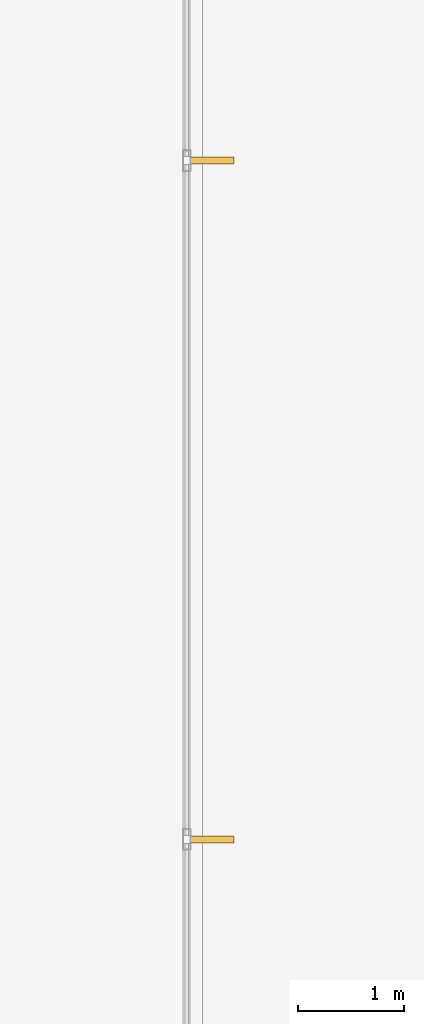
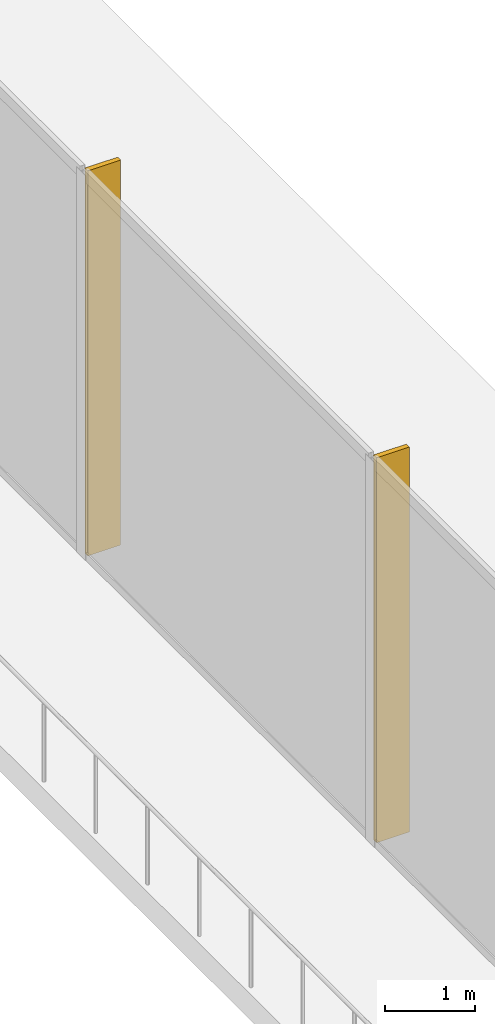
# One storey, part 34 of 38: 2 shading devices.
"""IFC4 building model written with IfcOpenShell, lengths in metres."""

from ifc_helpers import new_model, si_unit, direction, frame, origin, origin_2d, place, context, subcontext, project, spatial, rectangle, extrude, material, layer, layer_set, type_object, element, save


model = new_model("IFC4")

# Units and contexts
model_context = context("Model", 3, precision=1e-05, world=origin(), true_north=direction((0.0, 1.0)))
body_context = subcontext(model_context, "Body", "Model", "MODEL_VIEW")
ifc_project = project(units=[si_unit("LENGTHUNIT", "METRE"), si_unit("AREAUNIT", "SQUARE_METRE"), si_unit("VOLUMEUNIT", "CUBIC_METRE"), si_unit("PLANEANGLEUNIT", "RADIAN"), si_unit("MASSUNIT", "GRAM", prefix="KILO")], contexts=[model_context])

# Site, building, storey
site_placement = place(None, origin())
site = spatial("IfcSite", under=ifc_project, at=site_placement, CompositionType="ELEMENT")
building_placement = place(site_placement, origin())
building = spatial("IfcBuilding", under=site, at=building_placement, Name="Orvanel Arch Residences", CompositionType="ELEMENT")
storey_placement = place(building_placement, origin())
storey = spatial("IfcBuildingStorey", under=building, at=storey_placement, Name="L00", CompositionType="ELEMENT", Elevation=0.0)

# Shading devices
ifc_material = material(Name="Bronze-anodised aluminium AA6063-T6", Category="aluminium")
ifc_layer = layer(ifc_material, 0.06494140625)
ifc_layer_set = layer_set([ifc_layer], Name="Bronze-anodised aluminium AA6063-T6")
shading_device_type = type_object("IfcShadingDeviceType", Name="FIN-BRZ-420", PredefinedType="USERDEFINED", material=ifc_layer_set)
for number, where, z_axis, x_axis, name in (
    (1, (64.68994140625, 21.111083984375, 0.0), (0.0, 0.0, 1.0), (1.0, 0.0, 0.0), "L00 Anodised Bronze Mullion FIN 03"),
    (2, (64.68994140625, 27.52490234375, 0.0), (0.0, 0.0, 1.0), (1.0, 0.0, 0.0), "L00 Anodised Bronze Mullion FIN 04"),
):
    element("IfcShadingDevice", number, at=place(storey_placement, frame(where, z_axis=z_axis, x_axis=x_axis)), inside=storey, type_object=shading_device_type, Name=name, ObjectType="FIN", PredefinedType="USERDEFINED", context=body_context, shape_type="SweptSolid", body=[
        extrude(rectangle(XDim=0.419921875, YDim=0.06494140625, at=origin_2d()), origin(), (0.0, 0.0, 1.0), 5.219970703125),
    ])

save(model, "model.ifc")
